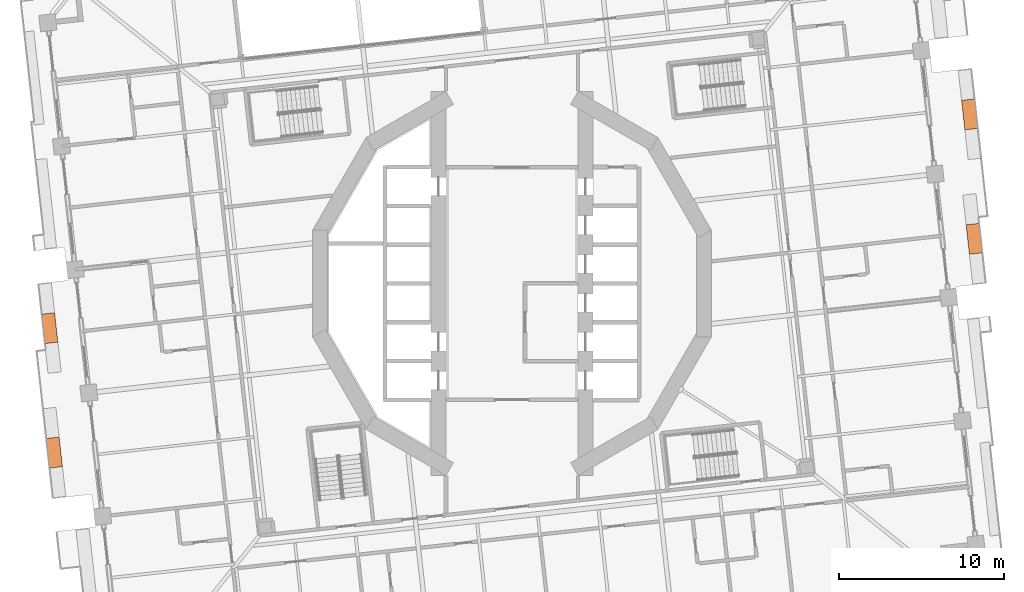
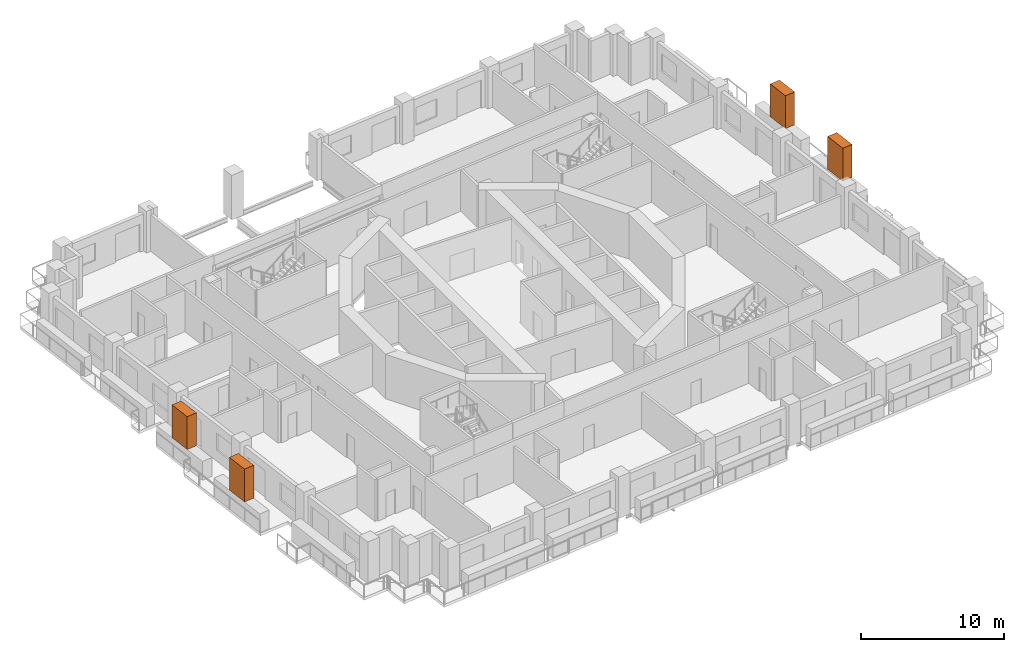
# One storey, part 21 of 21: 4 proxies.
"""IFC4 building model written with IfcOpenShell, lengths in metres."""

from ifc_helpers import new_model, si_unit, direction, frame, origin, origin_2d, place, context, subcontext, project, spatial, rectangle, extrude, element, save


model = new_model("IFC4")

# Units and contexts
model_context = context("Model", 3, precision=1e-05, world=origin(), true_north=direction((0.0, 1.0)))
body_context = subcontext(model_context, "Body", "Model", "MODEL_VIEW")
ifc_project = project(units=[si_unit("LENGTHUNIT", "METRE"), si_unit("AREAUNIT", "SQUARE_METRE"), si_unit("VOLUMEUNIT", "CUBIC_METRE"), si_unit("PLANEANGLEUNIT", "RADIAN"), si_unit("MASSUNIT", "GRAM", prefix="KILO")], contexts=[model_context])

# Site, building, storey
site_placement = place(None, origin())
site = spatial("IfcSite", under=ifc_project, at=site_placement, CompositionType="ELEMENT")
building_placement = place(site_placement, origin())
building = spatial("IfcBuilding", under=site, at=building_placement, Name="Cantera Rosa Tower", CompositionType="ELEMENT")
storey_placement = place(building_placement, frame((0.0, 0.0, 57.699951171875)))
storey = spatial("IfcBuildingStorey", under=building, at=storey_placement, Name="L11", CompositionType="ELEMENT", Elevation=57.699951171875)

# Proxies
for number, where, z_axis, x_axis, name in (
    (1, (28.00341796875, 2.70556640625, 1.60009765625), (0.0, 0.0, 1.0), (-0.110312555526, 0.993896946415, 0.0), "TREE L11-03"),
    (2, (27.72705078125, 10.2412109375, 1.60009765625), (0.0, 0.0, 1.0), (-0.110312555526, 0.993896946415, 0.0), "TREE L11-04"),
    (3, (-28.00341796875, -2.70556640625, 1.60009765625), (0.0, 0.0, 1.0), (0.110312555526, -0.993896946415, 0.0), "TREE L11-14"),
    (4, (-27.72705078125, -10.2412109375, 1.60009765625), (0.0, 0.0, 1.0), (0.110312555526, -0.993896946415, 0.0), "TREE L11-15"),
):
    element("IfcBuildingElementProxy", number, at=place(storey_placement, frame(where, z_axis=z_axis, x_axis=x_axis)), inside=storey, Name=name, ObjectType="TREE", PredefinedType="USERDEFINED", context=body_context, shape_type="SweptSolid", body=[
        extrude(rectangle(XDim=1.800048828125, YDim=0.800048828125, at=origin_2d()), origin(), (0.0, 0.0, 1.0), 2.800048828125),
    ])

save(model, "model.ifc")
